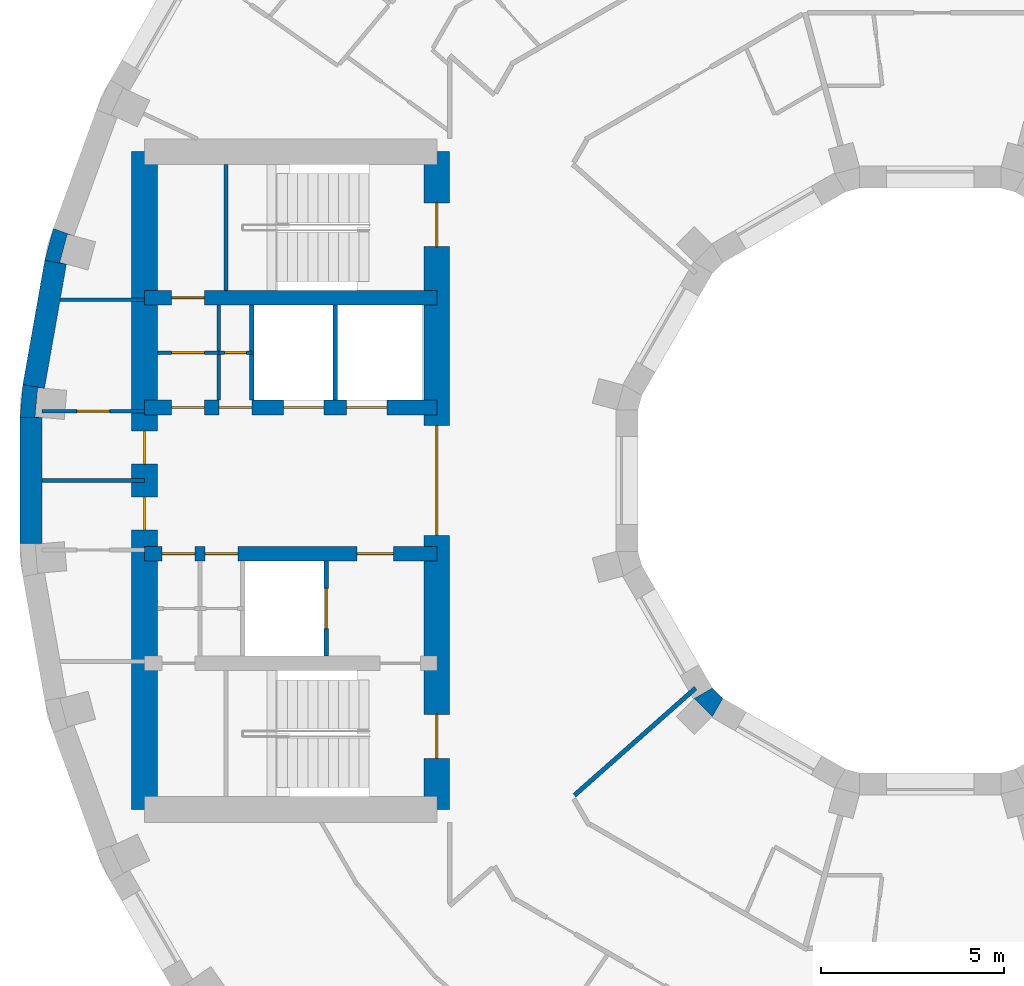
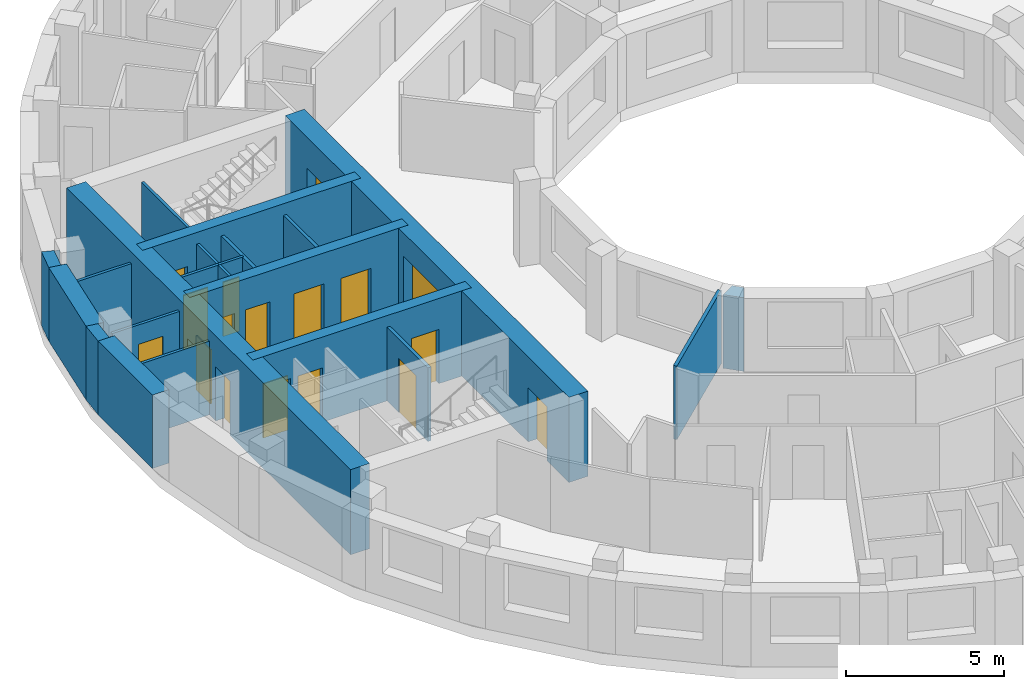
# One storey, part 6 of 15: 21 walls, 17 doors, 17 openings.
"""IFC4 building model written with IfcOpenShell, lengths in metres."""

from ifc_helpers import new_model, si_unit, direction, frame, frame_2d, origin, place, context, subcontext, project, spatial, polyline, rectangle, outline, extrude, material, layer, layer_set, type_object, element, fill, save


model = new_model("IFC4")

# Units and contexts
model_context = context("Model", 3, precision=1e-05, world=origin(), true_north=direction((0.0, 1.0)))
body_context = subcontext(model_context, "Body", "Model", "MODEL_VIEW")
ifc_project = project(units=[si_unit("LENGTHUNIT", "METRE"), si_unit("AREAUNIT", "SQUARE_METRE"), si_unit("VOLUMEUNIT", "CUBIC_METRE"), si_unit("PLANEANGLEUNIT", "RADIAN"), si_unit("MASSUNIT", "GRAM", prefix="KILO")], contexts=[model_context])

# Site, building, storey
site_placement = place(None, origin())
site = spatial("IfcSite", under=ifc_project, at=site_placement, CompositionType="ELEMENT")
building_placement = place(site_placement, origin())
building = spatial("IfcBuilding", under=site, at=building_placement, Name="Saqina Gate Tower", CompositionType="ELEMENT")
storey_placement = place(building_placement, frame((0.0, 0.0, 190.5)))
storey = spatial("IfcBuildingStorey", under=building, at=storey_placement, Name="L54", CompositionType="ELEMENT", Elevation=190.5)

# Walls
ifc_material_1 = material(Name="Brick masonry (buff)", Category="masonry")
wall_type_1 = type_object("IfcWallType", Name="BRICK PIER COPING BUFF", PredefinedType="SOLIDWALL", material=ifc_material_1)
wall_1_placement = place(storey_placement, origin())
element("IfcWall", 1, at=wall_1_placement, inside=storey, type_object=wall_type_1, Name="Pier cap L54 column 17", PredefinedType="SOLIDWALL", context=body_context, shape_type="SweptSolid", body=[
    extrude(outline(polyline([(-24.22705078125, 6.0234375), (-23.635986328125, 5.919189453125), (-23.81689453125, 5.967529296875), (-23.610107421875, 6.740478515625), (-23.428955078125, 6.69189453125), (-23.992919921875, 6.897216796875), (-24.22705078125, 6.0234375)])), origin(), (0.0, 0.0, 1.0), 2.85009765625),
])
wall_2_placement = place(storey_placement, origin())
element("IfcWall", 2, at=wall_2_placement, inside=storey, type_object=wall_type_1, Name="Pier cap L54 column 18", PredefinedType="SOLIDWALL", context=body_context, shape_type="SweptSolid", body=[
    extrude(outline(polyline([(-24.825927734375, 2.6259765625), (-24.90478515625, 1.724853515625), (-24.304931640625, 1.724853515625), (-24.491455078125, 1.7412109375), (-24.421630859375, 2.5380859375), (-24.235107421875, 2.521728515625), (-24.825927734375, 2.6259765625)])), origin(), (0.0, 0.0, 1.0), 2.85009765625),
])
ifc_material_2 = material(Name="Gypsum board on steel studs", Category="steel")
ifc_layer_1 = layer(ifc_material_2, 0.10009765625)
ifc_layer_set_1 = layer_set([ifc_layer_1], Name="CORE PARTITION")
wall_type_2 = type_object("IfcWallType", Name="CORE PARTITION", PredefinedType="PARTITIONING", material=ifc_layer_set_1)
wall_3_placement = place(storey_placement, frame((-21.5, 4.949951171875, 0.0), z_axis=(0.0, 0.0, 1.0), x_axis=(-1.0, 0.0, 0.0)))
element("IfcWall", 3, at=wall_3_placement, inside=storey, type_object=wall_type_2, Name="L54-CP-W01", PredefinedType="PARTITIONING", context=body_context, shape_type="SweptSolid", body=[
    extrude(rectangle(XDim=2.306884765625, YDim=0.10009765625, at=frame_2d((1.1533203125, 0.0))), origin(), (0.0, 0.0, 1.0), 2.85009765625),
])

# Wall, opening, door
wall_4_placement = place(storey_placement, frame((-21.5, 1.89990234375, 0.0), z_axis=(0.0, 0.0, 1.0), x_axis=(-1.0, 0.0, 0.0)))
wall_4 = element("IfcWall", 4, at=wall_4_placement, inside=storey, type_object=wall_type_2, Name="L54-CP-W02", PredefinedType="PARTITIONING", context=body_context, shape_type="SweptSolid", body=[
    extrude(rectangle(XDim=2.804931640625, YDim=0.10009765625, at=frame_2d((1.40234375, 0.0))), origin(), (0.0, 0.0, 1.0), 2.85009765625),
])
opening_1_placement = place(wall_4_placement, frame((0.952392578125, 0.0, 0.0)))
opening_1 = element("IfcOpeningElement", 5, at=opening_1_placement, cuts=wall_4, Name="Opening G16-D114", PredefinedType="OPENING", context=body_context, shape_type="SweptSolid", body=[
    extrude(rectangle(XDim=0.89990234375, YDim=2.10009765625, at=frame_2d((0.449951171875, 1.050048828125))), frame((0.0, 0.06201171875, 0.0), z_axis=(0.0, -1.0, 0.0), x_axis=(1.0, 0.0, 0.0)), (0.0, 0.0, 1.0), 0.1240234375),
])
ifc_material_3 = material(Name="Steel-framed fire door leaf, EI 60", Category="steel")
door_type_1 = type_object("IfcDoorType", Name="SERVICE ROOM DOOR 900", OperationType="SINGLE_SWING_LEFT", PredefinedType="DOOR", material=ifc_material_3)
door_1_placement = place(opening_1_placement, frame((0.89990234375, 0.0, 0.0), z_axis=(0.0, 0.0, 1.0), x_axis=(-1.0, 0.0, 0.0)))
door_1 = element("IfcDoor", 6, at=door_1_placement, inside=storey, type_object=door_type_1, Name="L54-CD-W25", OperationType="SINGLE_SWING_RIGHT", OverallHeight=2.10009765625, OverallWidth=0.89990234375, PredefinedType="DOOR", context=body_context, shape_type="SweptSolid", body=[
    extrude(rectangle(XDim=0.89990234375, YDim=2.10009765625, at=frame_2d((0.449951171875, 1.050048828125))), frame((0.0, 0.02490234375, 0.0), z_axis=(0.0, -1.0, 0.0), x_axis=(1.0, 0.0, 0.0)), (0.0, 0.0, 1.0), 0.050048828125),
])
fill(opening_1, door_1)

# Walls
wall_5_placement = place(storey_placement, frame((-21.5, 0.0, 0.0), z_axis=(0.0, 0.0, 1.0), x_axis=(-1.0, 0.0, 0.0)))
element("IfcWall", 7, at=wall_5_placement, inside=storey, type_object=wall_type_2, Name="L54-CP-W05", PredefinedType="PARTITIONING", context=body_context, shape_type="SweptSolid", body=[
    extrude(rectangle(XDim=2.804931640625, YDim=0.10009765625, at=frame_2d((1.40234375, 0.0))), origin(), (0.0, 0.0, 1.0), 2.85009765625),
])
wall_6_placement = place(storey_placement, frame((-19.466552734375, 2.199951171875, 0.0), z_axis=(0.0, 0.0, 1.0), x_axis=(0.0, 1.0, 0.0)))
element("IfcWall", 8, at=wall_6_placement, inside=storey, type_object=wall_type_2, Name="L54-CP-W08", PredefinedType="PARTITIONING", context=body_context, shape_type="SweptSolid", body=[
    extrude(rectangle(XDim=2.60009765625, YDim=0.10009765625, at=frame_2d((1.300048828125, 0.0))), origin(), (0.0, 0.0, 1.0), 2.85009765625),
])

# Wall, opening, door
wall_7_placement = place(storey_placement, frame((-18.56005859375, 3.5, 0.0), z_axis=(0.0, 0.0, 1.0), x_axis=(-1.0, 0.0, 0.0)))
wall_7 = element("IfcWall", 9, at=wall_7_placement, inside=storey, type_object=wall_type_2, Name="L54-CP-W12", PredefinedType="PARTITIONING", context=body_context, shape_type="SweptSolid", body=[
    extrude(rectangle(XDim=0.906494140625, YDim=0.10009765625, at=frame_2d((0.453125, 0.0))), origin(), (0.0, 0.0, 1.0), 2.85009765625),
])
opening_2_placement = place(wall_7_placement, frame((0.149658203125, 0.0, 0.0)))
opening_2 = element("IfcOpeningElement", 10, at=opening_2_placement, cuts=wall_7, Name="Opening G16-D118", PredefinedType="OPENING", context=body_context, shape_type="SweptSolid", body=[
    extrude(rectangle(XDim=0.60009765625, YDim=2.10009765625, at=frame_2d((0.300048828125, 1.050048828125))), frame((0.0, 0.06201171875, 0.0), z_axis=(0.0, -1.0, 0.0), x_axis=(1.0, 0.0, 0.0)), (0.0, 0.0, 1.0), 0.1240234375),
])
ifc_material_4 = material(Name="Steel-framed fire door leaf, EI 60", Category="steel")
door_type_2 = type_object("IfcDoorType", Name="SERVICE ROOM DOOR 600", OperationType="SINGLE_SWING_LEFT", PredefinedType="DOOR", material=ifc_material_4)
door_2_placement = place(opening_2_placement, origin())
door_2 = element("IfcDoor", 11, at=door_2_placement, inside=storey, type_object=door_type_2, Name="L54-CD-W29", OperationType="SINGLE_SWING_LEFT", OverallHeight=2.10009765625, OverallWidth=0.60009765625, PredefinedType="DOOR", context=body_context, shape_type="SweptSolid", body=[
    extrude(rectangle(XDim=0.60009765625, YDim=2.10009765625, at=frame_2d((0.300048828125, 1.050048828125))), frame((0.0, 0.02490234375, 0.0), z_axis=(0.0, -1.0, 0.0), x_axis=(1.0, 0.0, 0.0)), (0.0, 0.0, 1.0), 0.050048828125),
])
fill(opening_2, door_2)

wall_8_placement = place(storey_placement, frame((-19.466552734375, 3.5, 0.0), z_axis=(0.0, 0.0, 1.0), x_axis=(-1.0, 0.0, 0.0)))
wall_8 = element("IfcWall", 12, at=wall_8_placement, inside=storey, type_object=wall_type_2, Name="L54-CP-W13", PredefinedType="PARTITIONING", context=body_context, shape_type="SweptSolid", body=[
    extrude(rectangle(XDim=1.683349609375, YDim=0.10009765625, at=frame_2d((0.841796875, 0.0))), origin(), (0.0, 0.0, 1.0), 2.85009765625),
])
opening_3_placement = place(wall_8_placement, frame((0.391845703125, 0.0, 0.0)))
opening_3 = element("IfcOpeningElement", 13, at=opening_3_placement, cuts=wall_8, Name="Opening G16-D119", PredefinedType="OPENING", context=body_context, shape_type="SweptSolid", body=[
    extrude(rectangle(XDim=0.89990234375, YDim=2.10009765625, at=frame_2d((0.449951171875, 1.050048828125))), frame((0.0, 0.06201171875, 0.0), z_axis=(0.0, -1.0, 0.0), x_axis=(1.0, 0.0, 0.0)), (0.0, 0.0, 1.0), 0.1240234375),
])
door_3_placement = place(opening_3_placement, frame((0.89990234375, 0.0, 0.0), z_axis=(0.0, 0.0, 1.0), x_axis=(-1.0, 0.0, 0.0)))
door_3 = element("IfcDoor", 14, at=door_3_placement, inside=storey, type_object=door_type_1, Name="L54-CD-W30", OperationType="SINGLE_SWING_LEFT", OverallHeight=2.10009765625, OverallWidth=0.89990234375, PredefinedType="DOOR", context=body_context, shape_type="SweptSolid", body=[
    extrude(rectangle(XDim=0.89990234375, YDim=2.10009765625, at=frame_2d((0.449951171875, 1.050048828125))), frame((0.0, 0.02490234375, 0.0), z_axis=(0.0, -1.0, 0.0), x_axis=(1.0, 0.0, 0.0)), (0.0, 0.0, 1.0), 0.050048828125),
])
fill(opening_3, door_3)

# Walls
ifc_material_5 = material(Name="Glazed ceramic tile", Category="ceramic")
ifc_layer_2 = layer(ifc_material_5, 0.60009765625)
ifc_layer_set_2 = layer_set([ifc_layer_2], Name="FW-TILE")
wall_type_3 = type_object("IfcWallType", Name="FW-TILE", PredefinedType="SOLIDWALL", material=ifc_layer_set_2)
wall_9_placement = place(storey_placement, frame((-23.931640625, 5.97119140625, 0.0), z_axis=(0.0, 0.0, 1.0), x_axis=(-0.173607684551, -0.984814892183, 0.0)))
element("IfcWall", 15, at=wall_9_placement, inside=storey, type_object=wall_type_3, Name="Facade wall L54 facet 17", PredefinedType="SOLIDWALL", context=body_context, shape_type="SweptSolid", body=[
    extrude(rectangle(XDim=3.44970703125, YDim=0.60009765625, at=frame_2d((1.724853515625, 0.0))), origin(), (0.0, 0.0, 1.0), 2.85009765625),
])
ifc_material_6 = material(Name="Glazed ceramic tile (white)", Category="ceramic")
ifc_layer_3 = layer(ifc_material_6, 0.60009765625)
ifc_layer_set_3 = layer_set([ifc_layer_3], Name="FW-TILE-WH")
wall_type_4 = type_object("IfcWallType", Name="FW-TILE-WH", PredefinedType="SOLIDWALL", material=ifc_layer_set_3)
wall_10_placement = place(storey_placement, frame((-24.60498046875, 1.724853515625, 0.0), z_axis=(0.0, 0.0, 1.0), x_axis=(0.0, -1.0, 0.0)))
element("IfcWall", 16, at=wall_10_placement, inside=storey, type_object=wall_type_4, Name="Facade wall L54 facet 18", PredefinedType="SOLIDWALL", context=body_context, shape_type="SweptSolid", body=[
    extrude(rectangle(XDim=3.44970703125, YDim=0.60009765625, at=frame_2d((1.724853515625, 0.0))), origin(), (0.0, 0.0, 1.0), 2.85009765625),
])
ifc_material_7 = material(Name="Gypsum board on steel studs, 125 mm, fire rated", Category="steel")
ifc_layer_4 = layer(ifc_material_7, 0.125)
ifc_layer_set_4 = layer_set([ifc_layer_4], Name="PARTITION EI 30 125")
wall_type_5 = type_object("IfcWallType", Name="PARTITION EI 30 125", PredefinedType="PARTITIONING", material=ifc_layer_set_4)
wall_11_placement = place(storey_placement, frame((-9.7373046875, -8.612548828125, 0.0), z_axis=(0.0, 0.0, 1.0), x_axis=(0.748961830347, 0.662613142552, 0.0)))
element("IfcWall", 17, at=wall_11_placement, inside=storey, type_object=wall_type_5, Name="PARTITION PW1-40", PredefinedType="PARTITIONING", context=body_context, shape_type="SweptSolid", body=[
    extrude(rectangle(XDim=4.427734375, YDim=0.125, at=frame_2d((2.2138671875, 0.0))), origin(), (0.0, 0.0, 1.0), 2.85009765625),
])
ifc_material_8 = material(Name="Autoclaved aerated concrete block", Category="concrete")
ifc_layer_5 = layer(ifc_material_8, 0.1201171875)
ifc_layer_set_5 = layer_set([ifc_layer_5], Name="SHAFT PARTITION")
wall_type_6 = type_object("IfcWallType", Name="SHAFT PARTITION", PredefinedType="PARTITIONING", material=ifc_layer_set_5)
for number, where, z_axis, x_axis, name in (
    (18, (-16.280029296875, 2.199951171875, 0.0), (0.0, 0.0, 1.0), (0.0, 1.0, 0.0), "L54-CP-W06"),
    (19, (-18.56005859375, 2.199951171875, 0.0), (0.0, 0.0, 1.0), (0.0, 1.0, 0.0), "L54-CP-W07"),
):
    element("IfcWall", number, at=place(storey_placement, frame(where, z_axis=z_axis, x_axis=x_axis)), inside=storey, type_object=wall_type_6, Name=name, PredefinedType="PARTITIONING", context=body_context, shape_type="SweptSolid", body=[
        extrude(rectangle(XDim=2.60009765625, YDim=0.1201171875, at=frame_2d((1.300048828125, 0.0))), origin(), (0.0, 0.0, 1.0), 2.85009765625),
    ])

# Wall, opening, door
wall_12_placement = place(storey_placement, frame((-16.530029296875, -4.800048828125, 0.0), z_axis=(0.0, 0.0, 1.0), x_axis=(0.0, 1.0, 0.0)))
wall_12 = element("IfcWall", 20, at=wall_12_placement, inside=storey, type_object=wall_type_6, Name="L54-CP-W09", PredefinedType="PARTITIONING", context=body_context, shape_type="SweptSolid", body=[
    extrude(rectangle(XDim=2.60009765625, YDim=0.1201171875, at=frame_2d((1.300048828125, 0.0))), origin(), (0.0, 0.0, 1.0), 2.85009765625),
])
opening_4_placement = place(wall_12_placement, frame((0.75, 0.0, 0.0)))
opening_4 = element("IfcOpeningElement", 21, at=opening_4_placement, cuts=wall_12, Name="Opening G16-LD6", PredefinedType="OPENING", context=body_context, shape_type="SweptSolid", body=[
    extrude(rectangle(XDim=1.10009765625, YDim=2.10009765625, at=frame_2d((0.550048828125, 1.050048828125))), frame((0.0, 0.072021484375, 0.0), z_axis=(0.0, -1.0, 0.0), x_axis=(1.0, 0.0, 0.0)), (0.0, 0.0, 1.0), 0.14404296875),
])
ifc_material_9 = material(Name="Stainless steel", Category="steel")
door_type_3 = type_object("IfcDoorType", Name="LANDING DOOR", OperationType="DOUBLE_DOOR_SLIDING", PredefinedType="DOOR", material=ifc_material_9)
door_4_placement = place(opening_4_placement, origin())
door_4 = element("IfcDoor", 22, at=door_4_placement, inside=storey, type_object=door_type_3, Name="LANDING DOOR FF2", OperationType="DOUBLE_DOOR_SLIDING", OverallHeight=2.10009765625, OverallWidth=1.10009765625, PredefinedType="DOOR", context=body_context, shape_type="SweptSolid", body=[
    extrude(rectangle(XDim=1.10009765625, YDim=2.10009765625, at=frame_2d((0.550048828125, 1.050048828125))), frame((0.0, 0.02490234375, 0.0), z_axis=(0.0, -1.0, 0.0), x_axis=(1.0, 0.0, 0.0)), (0.0, 0.0, 1.0), 0.050048828125),
])
fill(opening_4, door_4)

# Wall
ifc_material_10 = material(Name="Autoclaved aerated concrete block", Category="concrete")
ifc_layer_6 = layer(ifc_material_10, 0.10009765625)
ifc_layer_set_6 = layer_set([ifc_layer_6], Name="STAIR ENCLOSURE WALL")
wall_type_7 = type_object("IfcWallType", Name="STAIR ENCLOSURE WALL", PredefinedType="PARTITIONING", material=ifc_layer_set_6)
wall_13_placement = place(storey_placement, frame((-19.27001953125, 5.199951171875, 0.0), z_axis=(0.0, 0.0, 1.0), x_axis=(0.0, 1.0, 0.0)))
element("IfcWall", 23, at=wall_13_placement, inside=storey, type_object=wall_type_7, Name="L54-CP-W16", PredefinedType="PARTITIONING", context=body_context, shape_type="SweptSolid", body=[
    extrude(rectangle(XDim=3.449951171875, YDim=0.10009765625, at=frame_2d((1.72509765625, 0.0))), origin(), (0.0, 0.0, 1.0), 2.85009765625),
])

# Wall, opening, door
ifc_material_11 = material(Name="Concrete C60/75", Category="concrete")
ifc_layer_7 = layer(ifc_material_11, 0.39990234375)
ifc_layer_set_7 = layer_set([ifc_layer_7], Name="Concrete C60/75")
wall_type_8 = type_object("IfcWallType", Name="STR-CORE WALL-C-I", PredefinedType="SHEAR", material=ifc_layer_set_7)
wall_14_placement = place(storey_placement, frame((-13.5, 5.0, 0.0), z_axis=(0.0, 0.0, 1.0), x_axis=(-1.0, 0.0, 0.0)))
wall_14 = element("IfcWall", 24, at=wall_14_placement, inside=storey, type_object=wall_type_8, Name="CORE WALL L54 W-X1", PredefinedType="SHEAR", context=body_context, shape_type="SweptSolid", body=[
    extrude(rectangle(XDim=8.0, YDim=0.39990234375, at=frame_2d((4.0, 0.0))), origin(), (0.0, 0.0, 1.0), 3.300048828125),
])
opening_5_placement = place(wall_14_placement, frame((6.358154296875, 0.0, 0.0)))
opening_5 = element("IfcOpeningElement", 25, at=opening_5_placement, cuts=wall_14, Name="Opening G16-D120", PredefinedType="OPENING", context=body_context, shape_type="SweptSolid", body=[
    extrude(rectangle(XDim=0.89990234375, YDim=2.10009765625, at=frame_2d((0.449951171875, 1.050048828125))), frame((0.0, 0.2119140625, 0.0), z_axis=(0.0, -1.0, 0.0), x_axis=(1.0, 0.0, 0.0)), (0.0, 0.0, 1.0), 0.423828125),
])
door_5_placement = place(opening_5_placement, frame((0.89990234375, 0.0, 0.0), z_axis=(0.0, 0.0, 1.0), x_axis=(-1.0, 0.0, 0.0)))
door_5 = element("IfcDoor", 26, at=door_5_placement, inside=storey, type_object=door_type_1, Name="L54-CD-W31", OperationType="SINGLE_SWING_LEFT", OverallHeight=2.10009765625, OverallWidth=0.89990234375, PredefinedType="DOOR", context=body_context, shape_type="SweptSolid", body=[
    extrude(rectangle(XDim=0.89990234375, YDim=2.10009765625, at=frame_2d((0.449951171875, 1.050048828125))), frame((0.0, 0.02490234375, 0.0), z_axis=(0.0, -1.0, 0.0), x_axis=(1.0, 0.0, 0.0)), (0.0, 0.0, 1.0), 0.050048828125),
])
fill(opening_5, door_5)

# Wall, openings, doors
wall_15_placement = place(storey_placement, frame((-13.5, 2.0, 0.0), z_axis=(0.0, 0.0, 1.0), x_axis=(-1.0, 0.0, 0.0)))
wall_15 = element("IfcWall", 27, at=wall_15_placement, inside=storey, type_object=wall_type_8, Name="CORE WALL L54 W-L1", PredefinedType="SHEAR", context=body_context, shape_type="SweptSolid", body=[
    extrude(rectangle(XDim=8.0, YDim=0.39990234375, at=frame_2d((4.0, 0.0))), origin(), (0.0, 0.0, 1.0), 3.300048828125),
])
opening_6_placement = place(wall_15_placement, frame((1.3701171875, 0.0, 0.0)))
opening_6 = element("IfcOpeningElement", 28, at=opening_6_placement, cuts=wall_15, Name="Opening G16-LD4", PredefinedType="OPENING", context=body_context, shape_type="SweptSolid", body=[
    extrude(rectangle(XDim=1.10009765625, YDim=2.10009765625, at=frame_2d((0.550048828125, 1.050048828125))), frame((0.0, 0.2119140625, 0.0), z_axis=(0.0, -1.0, 0.0), x_axis=(1.0, 0.0, 0.0)), (0.0, 0.0, 1.0), 0.423828125),
])
opening_7_placement = place(wall_15_placement, frame((3.090087890625, 0.0, 0.0)))
opening_7 = element("IfcOpeningElement", 29, at=opening_7_placement, cuts=wall_15, Name="Opening G16-LD5", PredefinedType="OPENING", context=body_context, shape_type="SweptSolid", body=[
    extrude(rectangle(XDim=1.10009765625, YDim=2.10009765625, at=frame_2d((0.550048828125, 1.050048828125))), frame((0.0, 0.2119140625, 0.0), z_axis=(0.0, -1.0, 0.0), x_axis=(1.0, 0.0, 0.0)), (0.0, 0.0, 1.0), 0.423828125),
])
opening_8_placement = place(wall_15_placement, frame((5.063232421875, 0.0, 0.0)))
opening_8 = element("IfcOpeningElement", 30, at=opening_8_placement, cuts=wall_15, Name="Opening G16-D109", PredefinedType="OPENING", context=body_context, shape_type="SweptSolid", body=[
    extrude(rectangle(XDim=0.89990234375, YDim=2.10009765625, at=frame_2d((0.449951171875, 1.050048828125))), frame((0.0, 0.2119140625, 0.0), z_axis=(0.0, -1.0, 0.0), x_axis=(1.0, 0.0, 0.0)), (0.0, 0.0, 1.0), 0.423828125),
])
opening_9_placement = place(wall_15_placement, frame((6.358154296875, 0.0, 0.0)))
opening_9 = element("IfcOpeningElement", 31, at=opening_9_placement, cuts=wall_15, Name="Opening G16-D110", PredefinedType="OPENING", context=body_context, shape_type="SweptSolid", body=[
    extrude(rectangle(XDim=0.89990234375, YDim=2.10009765625, at=frame_2d((0.449951171875, 1.050048828125))), frame((0.0, 0.2119140625, 0.0), z_axis=(0.0, -1.0, 0.0), x_axis=(1.0, 0.0, 0.0)), (0.0, 0.0, 1.0), 0.423828125),
])
door_6_placement = place(opening_6_placement, origin())
door_6 = element("IfcDoor", 32, at=door_6_placement, inside=storey, type_object=door_type_3, Name="LANDING DOOR HR3", OperationType="DOUBLE_DOOR_SLIDING", OverallHeight=2.10009765625, OverallWidth=1.10009765625, PredefinedType="DOOR", context=body_context, shape_type="SweptSolid", body=[
    extrude(rectangle(XDim=1.10009765625, YDim=2.10009765625, at=frame_2d((0.550048828125, 1.050048828125))), frame((0.0, 0.02490234375, 0.0), z_axis=(0.0, -1.0, 0.0), x_axis=(1.0, 0.0, 0.0)), (0.0, 0.0, 1.0), 0.050048828125),
])
fill(opening_6, door_6)
door_7_placement = place(opening_7_placement, origin())
door_7 = element("IfcDoor", 33, at=door_7_placement, inside=storey, type_object=door_type_3, Name="LANDING DOOR HR4", OperationType="DOUBLE_DOOR_SLIDING", OverallHeight=2.10009765625, OverallWidth=1.10009765625, PredefinedType="DOOR", context=body_context, shape_type="SweptSolid", body=[
    extrude(rectangle(XDim=1.10009765625, YDim=2.10009765625, at=frame_2d((0.550048828125, 1.050048828125))), frame((0.0, 0.02490234375, 0.0), z_axis=(0.0, -1.0, 0.0), x_axis=(1.0, 0.0, 0.0)), (0.0, 0.0, 1.0), 0.050048828125),
])
fill(opening_7, door_7)
door_8_placement = place(opening_8_placement, frame((0.89990234375, 0.0, 0.0), z_axis=(0.0, 0.0, 1.0), x_axis=(-1.0, 0.0, 0.0)))
door_8 = element("IfcDoor", 34, at=door_8_placement, inside=storey, type_object=door_type_1, Name="L54-CD-W20", OperationType="SINGLE_SWING_RIGHT", OverallHeight=2.10009765625, OverallWidth=0.89990234375, PredefinedType="DOOR", context=body_context, shape_type="SweptSolid", body=[
    extrude(rectangle(XDim=0.89990234375, YDim=2.10009765625, at=frame_2d((0.449951171875, 1.050048828125))), frame((0.0, 0.02490234375, 0.0), z_axis=(0.0, -1.0, 0.0), x_axis=(1.0, 0.0, 0.0)), (0.0, 0.0, 1.0), 0.050048828125),
])
fill(opening_8, door_8)
door_9_placement = place(opening_9_placement, frame((0.89990234375, 0.0, 0.0), z_axis=(0.0, 0.0, 1.0), x_axis=(-1.0, 0.0, 0.0)))
door_9 = element("IfcDoor", 35, at=door_9_placement, inside=storey, type_object=door_type_1, Name="L54-CD-W21", OperationType="SINGLE_SWING_LEFT", OverallHeight=2.10009765625, OverallWidth=0.89990234375, PredefinedType="DOOR", context=body_context, shape_type="SweptSolid", body=[
    extrude(rectangle(XDim=0.89990234375, YDim=2.10009765625, at=frame_2d((0.449951171875, 1.050048828125))), frame((0.0, 0.02490234375, 0.0), z_axis=(0.0, -1.0, 0.0), x_axis=(1.0, 0.0, 0.0)), (0.0, 0.0, 1.0), 0.050048828125),
])
fill(opening_9, door_9)

wall_16_placement = place(storey_placement, frame((-13.5, -2.0, 0.0), z_axis=(0.0, 0.0, 1.0), x_axis=(-1.0, 0.0, 0.0)))
wall_16 = element("IfcWall", 36, at=wall_16_placement, inside=storey, type_object=wall_type_8, Name="CORE WALL L54 W-L2", PredefinedType="SHEAR", context=body_context, shape_type="SweptSolid", body=[
    extrude(rectangle(XDim=8.0, YDim=0.39990234375, at=frame_2d((4.0, 0.0))), origin(), (0.0, 0.0, 1.0), 3.300048828125),
])
opening_10_placement = place(wall_16_placement, frame((1.18994140625, 0.0, 0.0)))
opening_10 = element("IfcOpeningElement", 37, at=opening_10_placement, cuts=wall_16, Name="Opening G16-D111", PredefinedType="OPENING", context=body_context, shape_type="SweptSolid", body=[
    extrude(rectangle(XDim=1.0, YDim=2.10009765625, at=frame_2d((0.5, 1.050048828125))), frame((0.0, 0.2119140625, 0.0), z_axis=(0.0, -1.0, 0.0), x_axis=(1.0, 0.0, 0.0)), (0.0, 0.0, 1.0), 0.423828125),
])
opening_11_placement = place(wall_16_placement, frame((5.445068359375, 0.0, 0.0)))
opening_11 = element("IfcOpeningElement", 38, at=opening_11_placement, cuts=wall_16, Name="Opening G16-D112", PredefinedType="OPENING", context=body_context, shape_type="SweptSolid", body=[
    extrude(rectangle(XDim=0.89990234375, YDim=2.10009765625, at=frame_2d((0.449951171875, 1.050048828125))), frame((0.0, 0.2119140625, 0.0), z_axis=(0.0, -1.0, 0.0), x_axis=(1.0, 0.0, 0.0)), (0.0, 0.0, 1.0), 0.423828125),
])
opening_12_placement = place(wall_16_placement, frame((6.614990234375, 0.0, 0.0)))
opening_12 = element("IfcOpeningElement", 39, at=opening_12_placement, cuts=wall_16, Name="Opening G16-D113", PredefinedType="OPENING", context=body_context, shape_type="SweptSolid", body=[
    extrude(rectangle(XDim=0.89990234375, YDim=2.10009765625, at=frame_2d((0.449951171875, 1.050048828125))), frame((0.0, 0.2119140625, 0.0), z_axis=(0.0, -1.0, 0.0), x_axis=(1.0, 0.0, 0.0)), (0.0, 0.0, 1.0), 0.423828125),
])
ifc_material_12 = material(Name="Steel", Category="steel")
door_type_4 = type_object("IfcDoorType", Name="FIRE LOBBY DOOR EI 60", OperationType="SINGLE_SWING_LEFT", PredefinedType="DOOR", material=ifc_material_12)
door_10_placement = place(opening_10_placement, frame((1.0, 0.0, 0.0), z_axis=(0.0, 0.0, 1.0), x_axis=(-1.0, 0.0, 0.0)))
door_10 = element("IfcDoor", 40, at=door_10_placement, inside=storey, type_object=door_type_4, Name="L54-CD-W22", OperationType="SINGLE_SWING_RIGHT", OverallHeight=2.10009765625, OverallWidth=1.0, PredefinedType="DOOR", context=body_context, shape_type="SweptSolid", body=[
    extrude(rectangle(XDim=1.0, YDim=2.10009765625, at=frame_2d((0.5, 1.050048828125))), frame((0.0, 0.02490234375, 0.0), z_axis=(0.0, -1.0, 0.0), x_axis=(1.0, 0.0, 0.0)), (0.0, 0.0, 1.0), 0.050048828125),
])
fill(opening_10, door_10)
door_11_placement = place(opening_11_placement, origin())
door_11 = element("IfcDoor", 41, at=door_11_placement, inside=storey, type_object=door_type_1, Name="L54-CD-W23", OperationType="SINGLE_SWING_LEFT", OverallHeight=2.10009765625, OverallWidth=0.89990234375, PredefinedType="DOOR", context=body_context, shape_type="SweptSolid", body=[
    extrude(rectangle(XDim=0.89990234375, YDim=2.10009765625, at=frame_2d((0.449951171875, 1.050048828125))), frame((0.0, 0.02490234375, 0.0), z_axis=(0.0, -1.0, 0.0), x_axis=(1.0, 0.0, 0.0)), (0.0, 0.0, 1.0), 0.050048828125),
])
fill(opening_11, door_11)
door_12_placement = place(opening_12_placement, origin())
door_12 = element("IfcDoor", 42, at=door_12_placement, inside=storey, type_object=door_type_1, Name="L54-CD-W24", OperationType="SINGLE_SWING_RIGHT", OverallHeight=2.10009765625, OverallWidth=0.89990234375, PredefinedType="DOOR", context=body_context, shape_type="SweptSolid", body=[
    extrude(rectangle(XDim=0.89990234375, YDim=2.10009765625, at=frame_2d((0.449951171875, 1.050048828125))), frame((0.0, 0.02490234375, 0.0), z_axis=(0.0, -1.0, 0.0), x_axis=(1.0, 0.0, 0.0)), (0.0, 0.0, 1.0), 0.050048828125),
])
fill(opening_12, door_12)

ifc_material_13 = material(Name="Concrete C60/75", Category="concrete")
ifc_layer_8 = layer(ifc_material_13, 0.699951171875)
ifc_layer_set_8 = layer_set([ifc_layer_8], Name="Concrete C60/75")
wall_type_9 = type_object("IfcWallType", Name="STR-CORE WALL-C-O", PredefinedType="SHEAR", material=ifc_layer_set_8)
wall_17_placement = place(storey_placement, frame((-13.5, -9.0, 0.0), z_axis=(0.0, 0.0, 1.0), x_axis=(0.0, 1.0, 0.0)))
wall_17 = element("IfcWall", 43, at=wall_17_placement, inside=storey, type_object=wall_type_9, Name="CORE WALL L54 W-W1", PredefinedType="SHEAR", context=body_context, shape_type="SweptSolid", body=[
    extrude(rectangle(XDim=18.0, YDim=0.699951171875, at=frame_2d((9.0, 0.0))), origin(), (0.0, 0.0, 1.0), 3.300048828125),
])
opening_13_placement = place(wall_17_placement, frame((15.39990234375, 0.0, 0.0)))
opening_13 = element("IfcOpeningElement", 44, at=opening_13_placement, cuts=wall_17, Name="Opening G16-D125", PredefinedType="OPENING", context=body_context, shape_type="SweptSolid", body=[
    extrude(rectangle(XDim=1.199951171875, YDim=2.10009765625, at=frame_2d((0.60009765625, 1.050048828125))), frame((0.0, 0.362060546875, 0.0), z_axis=(0.0, -1.0, 0.0), x_axis=(1.0, 0.0, 0.0)), (0.0, 0.0, 1.0), 0.723876953125),
])
opening_14_placement = place(wall_17_placement, frame((1.39990234375, 0.0, 0.0)))
opening_14 = element("IfcOpeningElement", 45, at=opening_14_placement, cuts=wall_17, Name="Opening G16-D126", PredefinedType="OPENING", context=body_context, shape_type="SweptSolid", body=[
    extrude(rectangle(XDim=1.199951171875, YDim=2.10009765625, at=frame_2d((0.60009765625, 1.050048828125))), frame((0.0, 0.362060546875, 0.0), z_axis=(0.0, -1.0, 0.0), x_axis=(1.0, 0.0, 0.0)), (0.0, 0.0, 1.0), 0.723876953125),
])
opening_15_placement = place(wall_17_placement, frame((7.5, 0.0, 0.0)))
opening_15 = element("IfcOpeningElement", 46, at=opening_15_placement, cuts=wall_17, Name="Opening G16-D127", PredefinedType="OPENING", context=body_context, shape_type="SweptSolid", body=[
    extrude(rectangle(XDim=3.0, YDim=2.39990234375, at=frame_2d((1.5, 1.199951171875))), frame((0.0, 0.362060546875, 0.0), z_axis=(0.0, -1.0, 0.0), x_axis=(1.0, 0.0, 0.0)), (0.0, 0.0, 1.0), 0.723876953125),
])
ifc_material_14 = material(Name="Steel", Category="steel")
door_type_5 = type_object("IfcDoorType", Name="FIRE DOOR EI 60", OperationType="SINGLE_SWING_LEFT", PredefinedType="DOOR", material=ifc_material_14)
door_13_placement = place(opening_13_placement, origin())
door_13 = element("IfcDoor", 47, at=door_13_placement, inside=storey, type_object=door_type_5, Name="L54-CD-W36", OperationType="SINGLE_SWING_RIGHT", OverallHeight=2.10009765625, OverallWidth=1.199951171875, PredefinedType="DOOR", context=body_context, shape_type="SweptSolid", body=[
    extrude(rectangle(XDim=1.199951171875, YDim=2.10009765625, at=frame_2d((0.60009765625, 1.050048828125))), frame((0.0, 0.02490234375, 0.0), z_axis=(0.0, -1.0, 0.0), x_axis=(1.0, 0.0, 0.0)), (0.0, 0.0, 1.0), 0.050048828125),
])
fill(opening_13, door_13)
door_14_placement = place(opening_14_placement, origin())
door_14 = element("IfcDoor", 48, at=door_14_placement, inside=storey, type_object=door_type_5, Name="L54-CD-W37", OperationType="SINGLE_SWING_LEFT", OverallHeight=2.10009765625, OverallWidth=1.199951171875, PredefinedType="DOOR", context=body_context, shape_type="SweptSolid", body=[
    extrude(rectangle(XDim=1.199951171875, YDim=2.10009765625, at=frame_2d((0.60009765625, 1.050048828125))), frame((0.0, 0.02490234375, 0.0), z_axis=(0.0, -1.0, 0.0), x_axis=(1.0, 0.0, 0.0)), (0.0, 0.0, 1.0), 0.050048828125),
])
fill(opening_14, door_14)
ifc_material_15 = material(Name="Steel and fire-resisting glass", Category="steel")
door_type_6 = type_object("IfcDoorType", Name="LOBBY SCREEN DOOR", OperationType="DOUBLE_DOOR_SLIDING", PredefinedType="DOOR", material=ifc_material_15)
door_15_placement = place(opening_15_placement, origin())
door_15 = element("IfcDoor", 49, at=door_15_placement, inside=storey, type_object=door_type_6, Name="L54-CD-W38", OperationType="DOUBLE_DOOR_SLIDING", OverallHeight=2.39990234375, OverallWidth=3.0, PredefinedType="DOOR", context=body_context, shape_type="SweptSolid", body=[
    extrude(rectangle(XDim=3.0, YDim=2.39990234375, at=frame_2d((1.5, 1.199951171875))), frame((0.0, 0.02490234375, 0.0), z_axis=(0.0, -1.0, 0.0), x_axis=(1.0, 0.0, 0.0)), (0.0, 0.0, 1.0), 0.050048828125),
])
fill(opening_15, door_15)

wall_18_placement = place(storey_placement, frame((-21.5, -9.0, 0.0), z_axis=(0.0, 0.0, 1.0), x_axis=(0.0, 1.0, 0.0)))
wall_18 = element("IfcWall", 50, at=wall_18_placement, inside=storey, type_object=wall_type_9, Name="CORE WALL L54 W-W2", PredefinedType="SHEAR", context=body_context, shape_type="SweptSolid", body=[
    extrude(rectangle(XDim=18.0, YDim=0.699951171875, at=frame_2d((9.0, 0.0))), origin(), (0.0, 0.0, 1.0), 3.300048828125),
])
opening_16_placement = place(wall_18_placement, frame((9.449951171875, 0.0, 0.0)))
opening_16 = element("IfcOpeningElement", 51, at=opening_16_placement, cuts=wall_18, Name="Opening G16-D115", PredefinedType="OPENING", context=body_context, shape_type="SweptSolid", body=[
    extrude(rectangle(XDim=0.89990234375, YDim=2.10009765625, at=frame_2d((0.449951171875, 1.050048828125))), frame((0.0, 0.362060546875, 0.0), z_axis=(0.0, -1.0, 0.0), x_axis=(1.0, 0.0, 0.0)), (0.0, 0.0, 1.0), 0.723876953125),
])
opening_17_placement = place(wall_18_placement, frame((7.64990234375, 0.0, 0.0)))
opening_17 = element("IfcOpeningElement", 52, at=opening_17_placement, cuts=wall_18, Name="Opening G16-D117", PredefinedType="OPENING", context=body_context, shape_type="SweptSolid", body=[
    extrude(rectangle(XDim=0.89990234375, YDim=2.10009765625, at=frame_2d((0.449951171875, 1.050048828125))), frame((0.0, 0.362060546875, 0.0), z_axis=(0.0, -1.0, 0.0), x_axis=(1.0, 0.0, 0.0)), (0.0, 0.0, 1.0), 0.723876953125),
])
door_16_placement = place(opening_16_placement, origin())
door_16 = element("IfcDoor", 53, at=door_16_placement, inside=storey, type_object=door_type_1, Name="L54-CD-W26", OperationType="SINGLE_SWING_RIGHT", OverallHeight=2.10009765625, OverallWidth=0.89990234375, PredefinedType="DOOR", context=body_context, shape_type="SweptSolid", body=[
    extrude(rectangle(XDim=0.89990234375, YDim=2.10009765625, at=frame_2d((0.449951171875, 1.050048828125))), frame((0.0, 0.02490234375, 0.0), z_axis=(0.0, -1.0, 0.0), x_axis=(1.0, 0.0, 0.0)), (0.0, 0.0, 1.0), 0.050048828125),
])
fill(opening_16, door_16)
door_17_placement = place(opening_17_placement, origin())
door_17 = element("IfcDoor", 54, at=door_17_placement, inside=storey, type_object=door_type_1, Name="L54-CD-W28", OperationType="SINGLE_SWING_LEFT", OverallHeight=2.10009765625, OverallWidth=0.89990234375, PredefinedType="DOOR", context=body_context, shape_type="SweptSolid", body=[
    extrude(rectangle(XDim=0.89990234375, YDim=2.10009765625, at=frame_2d((0.449951171875, 1.050048828125))), frame((0.0, 0.02490234375, 0.0), z_axis=(0.0, -1.0, 0.0), x_axis=(1.0, 0.0, 0.0)), (0.0, 0.0, 1.0), 0.050048828125),
])
fill(opening_17, door_17)

# Wall
ifc_material_16 = material(Name="Glazed ceramic tile", Category="ceramic")
wall_type_10 = type_object("IfcWallType", Name="TILE PIER COPING", PredefinedType="SOLIDWALL", material=ifc_material_16)
wall_19_placement = place(storey_placement, origin())
element("IfcWall", 55, at=wall_19_placement, inside=storey, type_object=wall_type_10, Name="Well pier cap L54 column 8", PredefinedType="SOLIDWALL", context=body_context, shape_type="SweptSolid", body=[
    extrude(outline(polyline([(-6.45751953125, -5.96240234375), (-5.96240234375, -6.45751953125), (-5.67578125, -5.960693359375), (-5.960693359375, -5.67578125), (-6.45751953125, -5.96240234375)])), origin(), (0.0, 0.0, 1.0), 2.85009765625),
])

save(model, "model.ifc")
